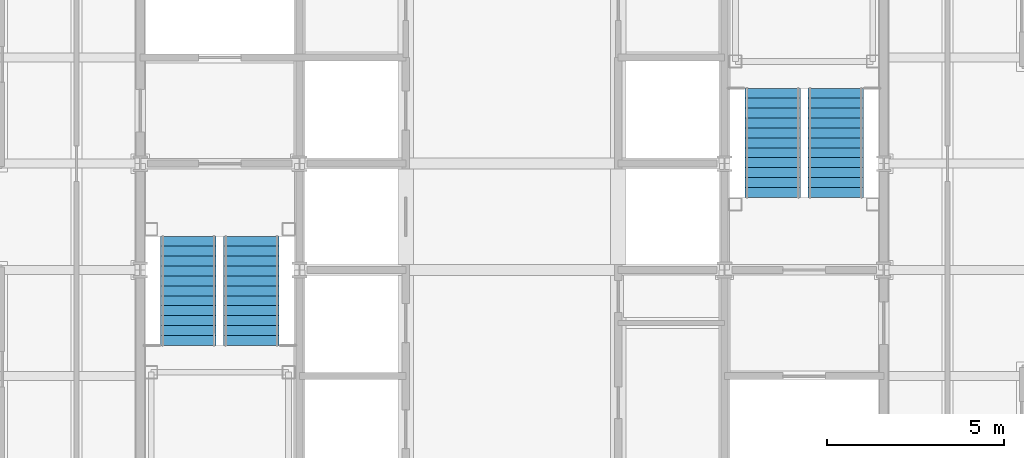
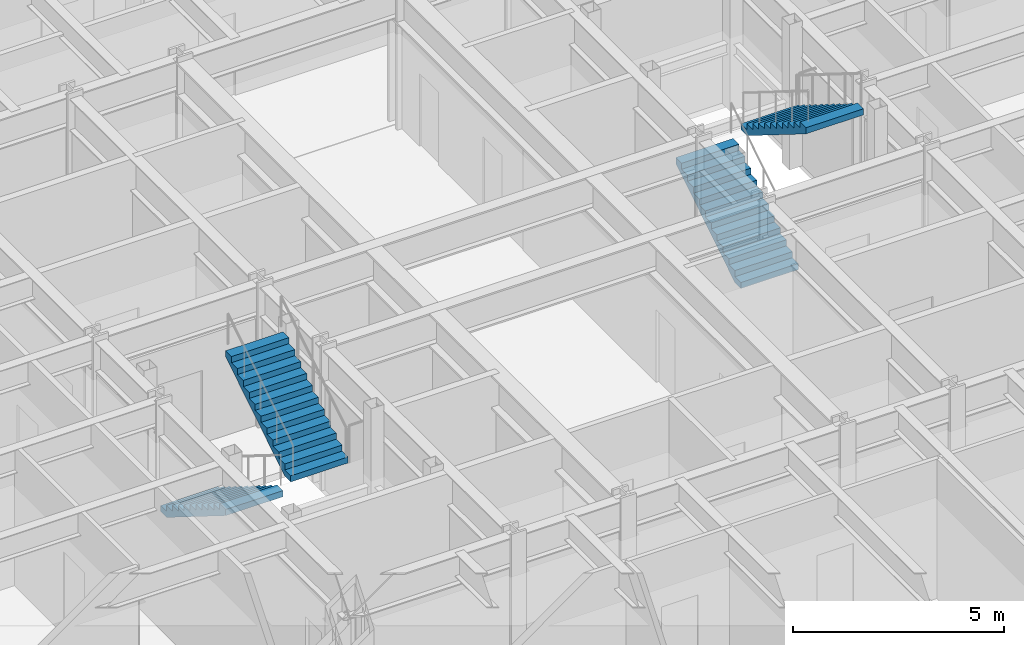
# One storey, part 13 of 15: 4 stair flights, 2 elements without a shape of their own.
"""IFC4 building model written with IfcOpenShell, lengths in metres."""

from ifc_helpers import new_model, si_unit, direction, frame, origin, place, context, subcontext, project, spatial, faceted_brep, material, type_object, element, aggregate, save


model = new_model("IFC4")

# Units and contexts
model_context = context("Model", 3, precision=1e-05, world=origin(), true_north=direction((0.0, 1.0)))
body_context = subcontext(model_context, "Body", "Model", "MODEL_VIEW")
ifc_project = project(units=[si_unit("LENGTHUNIT", "METRE"), si_unit("AREAUNIT", "SQUARE_METRE"), si_unit("VOLUMEUNIT", "CUBIC_METRE"), si_unit("PLANEANGLEUNIT", "RADIAN"), si_unit("MASSUNIT", "GRAM", prefix="KILO")], contexts=[model_context])

# Site, building, storey
site_placement = place(None, origin())
site = spatial("IfcSite", under=ifc_project, at=site_placement, CompositionType="ELEMENT")
building_placement = place(site_placement, origin())
building = spatial("IfcBuilding", under=site, at=building_placement, Name="Chuquiago Exchange Tower", CompositionType="ELEMENT")
storey_placement = place(building_placement, frame((0.0, 0.0, 291.60009765625)))
storey = spatial("IfcBuildingStorey", under=building, at=storey_placement, Name="L65", CompositionType="ELEMENT", Elevation=291.60009765625)

# Stair, stair flights
ifc_material_1 = material(Name="Concrete C30/37, precast", Category="concrete")
stair_type_1 = type_object("IfcStairType", Name="ST1 half-turn stair 4200", PredefinedType="HALF_TURN_STAIR", material=ifc_material_1)
stair_1_placement = place(storey_placement, origin())
stair_1 = element("IfcStair", 1, at=stair_1_placement, inside=storey, type_object=stair_type_1, Name="Stair ST1 L65", PredefinedType="HALF_TURN_STAIR")
ifc_material_2 = material(Name="Concrete C30/37, precast", Category="concrete")
stair_flight_type = type_object("IfcStairFlightType", Name="ST-F flight 1570 for 4200 storey", PredefinedType="STRAIGHT", material=ifc_material_2)
stair_flight_1_placement = place(storey_placement, frame((13.360107421875, 21.949951171875, 0.0), z_axis=(0.0, 0.0, 1.0), x_axis=(0.0, -1.0, 0.0)))
stair_flight_1 = element("IfcStairFlight", 2, at=stair_flight_1_placement, type_object=stair_flight_type, Name="ST1 flight 1", NumberOfRisers=12, NumberOfTreads=11, PredefinedType="STRAIGHT", RiserHeight=0.175, TreadLength=0.28, context=body_context, shape_type="Brep", body=[
    faceted_brep([(0.0, 0.78515625, 0.0), (0.0, 0.78515625, 0.175048828125), (0.280029296875, 0.78515625, 0.175048828125), (0.280029296875, 0.78515625, 0.35009765625), (0.56005859375, 0.78515625, 0.35009765625), (0.56005859375, 0.78515625, 0.52490234375), (0.840087890625, 0.78515625, 0.52490234375), (0.840087890625, 0.78515625, 0.699951171875), (1.1201171875, 0.78515625, 0.699951171875), (1.1201171875, 0.78515625, 0.875), (1.39990234375, 0.78515625, 0.875), (1.39990234375, 0.78515625, 1.050048828125), (1.679931640625, 0.78515625, 1.050048828125), (1.679931640625, 0.78515625, 1.22509765625), (1.9599609375, 0.78515625, 1.22509765625), (1.9599609375, 0.78515625, 1.39990234375), (2.239990234375, 0.78515625, 1.39990234375), (2.239990234375, 0.78515625, 1.574951171875), (2.52001953125, 0.78515625, 1.574951171875), (2.52001953125, 0.78515625, 1.75), (2.800048828125, 0.78515625, 1.75), (2.800048828125, 0.78515625, 1.925048828125), (3.080078125, 0.78515625, 1.925048828125), (3.080078125, 0.78515625, 1.748291015625), (0.28271484375, 0.78515625, 0.0), (0.28271484375, -0.78515625, 0.0), (3.080078125, -0.78515625, 1.748291015625), (3.080078125, -0.78515625, 1.925048828125), (2.800048828125, -0.78515625, 1.925048828125), (2.800048828125, -0.78515625, 1.75), (2.52001953125, -0.78515625, 1.75), (2.52001953125, -0.78515625, 1.574951171875), (2.239990234375, -0.78515625, 1.574951171875), (2.239990234375, -0.78515625, 1.39990234375), (1.9599609375, -0.78515625, 1.39990234375), (1.9599609375, -0.78515625, 1.22509765625), (1.679931640625, -0.78515625, 1.22509765625), (1.679931640625, -0.78515625, 1.050048828125), (1.39990234375, -0.78515625, 1.050048828125), (1.39990234375, -0.78515625, 0.875), (1.1201171875, -0.78515625, 0.875), (1.1201171875, -0.78515625, 0.699951171875), (0.840087890625, -0.78515625, 0.699951171875), (0.840087890625, -0.78515625, 0.52490234375), (0.56005859375, -0.78515625, 0.52490234375), (0.56005859375, -0.78515625, 0.35009765625), (0.280029296875, -0.78515625, 0.35009765625), (0.280029296875, -0.78515625, 0.175048828125), (0.0, -0.78515625, 0.175048828125), (0.0, -0.78515625, 0.0), (0.0, 0.392578125, 0.0), (0.0, 0.392578125, 0.175048828125), (0.0, 0.0, 0.0), (0.0, 0.0, 0.175048828125), (0.0, -0.392578125, 0.0), (0.0, -0.392578125, 0.175048828125), (0.280029296875, 0.392578125, 0.175048828125), (0.280029296875, 0.0, 0.175048828125), (0.280029296875, -0.392578125, 0.175048828125), (0.280029296875, 0.392578125, 0.35009765625), (0.280029296875, 0.0, 0.35009765625), (0.280029296875, -0.392578125, 0.35009765625), (0.56005859375, 0.392578125, 0.35009765625), (0.56005859375, 0.0, 0.35009765625), (0.56005859375, -0.392578125, 0.35009765625), (0.56005859375, 0.392578125, 0.52490234375), (0.56005859375, 0.0, 0.52490234375), (0.56005859375, -0.392578125, 0.52490234375), (0.840087890625, 0.392578125, 0.52490234375), (0.840087890625, 0.0, 0.52490234375), (0.840087890625, -0.392578125, 0.52490234375), (0.840087890625, 0.392578125, 0.699951171875), (0.840087890625, 0.0, 0.699951171875), (0.840087890625, -0.392578125, 0.699951171875), (1.1201171875, 0.392578125, 0.699951171875), (1.1201171875, 0.0, 0.699951171875), (1.1201171875, -0.392578125, 0.699951171875), (1.1201171875, 0.392578125, 0.875), (1.1201171875, 0.0, 0.875), (1.1201171875, -0.392578125, 0.875), (1.39990234375, 0.392578125, 0.875), (1.39990234375, 0.0, 0.875), (1.39990234375, -0.392578125, 0.875), (1.39990234375, 0.392578125, 1.050048828125), (1.39990234375, 0.0, 1.050048828125), (1.39990234375, -0.392578125, 1.050048828125), (1.679931640625, 0.392578125, 1.050048828125), (1.679931640625, 0.0, 1.050048828125), (1.679931640625, -0.392578125, 1.050048828125), (1.679931640625, 0.392578125, 1.22509765625), (1.679931640625, 0.0, 1.22509765625), (1.679931640625, -0.392578125, 1.22509765625), (1.9599609375, 0.392578125, 1.22509765625), (1.9599609375, 0.0, 1.22509765625), (1.9599609375, -0.392578125, 1.22509765625), (1.9599609375, 0.392578125, 1.39990234375), (1.9599609375, 0.0, 1.39990234375), (1.9599609375, -0.392578125, 1.39990234375), (2.239990234375, 0.392578125, 1.39990234375), (2.239990234375, 0.0, 1.39990234375), (2.239990234375, -0.392578125, 1.39990234375), (2.239990234375, 0.392578125, 1.574951171875), (2.239990234375, 0.0, 1.574951171875), (2.239990234375, -0.392578125, 1.574951171875), (2.52001953125, 0.392578125, 1.574951171875), (2.52001953125, 0.0, 1.574951171875), (2.52001953125, -0.392578125, 1.574951171875), (2.52001953125, 0.392578125, 1.75), (2.52001953125, 0.0, 1.75), (2.52001953125, -0.392578125, 1.75), (2.800048828125, 0.392578125, 1.75), (2.800048828125, 0.0, 1.75), (2.800048828125, -0.392578125, 1.75), (2.800048828125, 0.392578125, 1.925048828125), (2.800048828125, 0.0, 1.925048828125), (2.800048828125, -0.392578125, 1.925048828125), (3.080078125, 0.392578125, 1.925048828125), (3.080078125, 0.0, 1.925048828125), (3.080078125, -0.392578125, 1.925048828125), (3.080078125, 0.392578125, 1.748291015625), (3.080078125, 0.0, 1.748291015625), (3.080078125, -0.392578125, 1.748291015625), (0.28271484375, 0.392578125, 0.0), (0.28271484375, 0.0, 0.0), (0.28271484375, -0.392578125, 0.0)], [[[0, 1, 2, 3, 4, 5, 6, 7, 8, 9, 10, 11, 12, 13, 14, 15, 16, 17, 18, 19, 20, 21, 22, 23, 24]], [[25, 26, 27, 28, 29, 30, 31, 32, 33, 34, 35, 36, 37, 38, 39, 40, 41, 42, 43, 44, 45, 46, 47, 48, 49]], [[1, 0, 50, 51]], [[51, 50, 52, 53]], [[53, 52, 54, 55]], [[55, 54, 49, 48]], [[2, 1, 51, 56]], [[56, 51, 53, 57]], [[57, 53, 55, 58]], [[58, 55, 48, 47]], [[3, 2, 56, 59]], [[59, 56, 57, 60]], [[60, 57, 58, 61]], [[61, 58, 47, 46]], [[4, 3, 59, 62]], [[62, 59, 60, 63]], [[63, 60, 61, 64]], [[64, 61, 46, 45]], [[5, 4, 62, 65]], [[65, 62, 63, 66]], [[66, 63, 64, 67]], [[67, 64, 45, 44]], [[6, 5, 65, 68]], [[68, 65, 66, 69]], [[69, 66, 67, 70]], [[70, 67, 44, 43]], [[7, 6, 68, 71]], [[71, 68, 69, 72]], [[72, 69, 70, 73]], [[73, 70, 43, 42]], [[8, 7, 71, 74]], [[74, 71, 72, 75]], [[75, 72, 73, 76]], [[76, 73, 42, 41]], [[9, 8, 74, 77]], [[77, 74, 75, 78]], [[78, 75, 76, 79]], [[79, 76, 41, 40]], [[10, 9, 77, 80]], [[80, 77, 78, 81]], [[81, 78, 79, 82]], [[82, 79, 40, 39]], [[11, 10, 80, 83]], [[83, 80, 81, 84]], [[84, 81, 82, 85]], [[85, 82, 39, 38]], [[12, 11, 83, 86]], [[86, 83, 84, 87]], [[87, 84, 85, 88]], [[88, 85, 38, 37]], [[13, 12, 86, 89]], [[89, 86, 87, 90]], [[90, 87, 88, 91]], [[91, 88, 37, 36]], [[14, 13, 89, 92]], [[92, 89, 90, 93]], [[93, 90, 91, 94]], [[94, 91, 36, 35]], [[15, 14, 92, 95]], [[95, 92, 93, 96]], [[96, 93, 94, 97]], [[97, 94, 35, 34]], [[16, 15, 95, 98]], [[98, 95, 96, 99]], [[99, 96, 97, 100]], [[100, 97, 34, 33]], [[17, 16, 98, 101]], [[101, 98, 99, 102]], [[102, 99, 100, 103]], [[103, 100, 33, 32]], [[18, 17, 101, 104]], [[104, 101, 102, 105]], [[105, 102, 103, 106]], [[106, 103, 32, 31]], [[19, 18, 104, 107]], [[107, 104, 105, 108]], [[108, 105, 106, 109]], [[109, 106, 31, 30]], [[20, 19, 107, 110]], [[110, 107, 108, 111]], [[111, 108, 109, 112]], [[112, 109, 30, 29]], [[21, 20, 110, 113]], [[113, 110, 111, 114]], [[114, 111, 112, 115]], [[115, 112, 29, 28]], [[22, 21, 113, 116]], [[116, 113, 114, 117]], [[117, 114, 115, 118]], [[118, 115, 28, 27]], [[23, 22, 116, 119]], [[119, 116, 117, 120]], [[120, 117, 118, 121]], [[121, 118, 27, 26]], [[24, 23, 119, 122]], [[122, 119, 120, 123]], [[123, 120, 121, 124]], [[124, 121, 26, 25]], [[0, 24, 122, 50]], [[50, 122, 123, 52]], [[52, 123, 124, 54]], [[54, 124, 25, 49]]]),
])
stair_flight_2_placement = place(storey_placement, frame((15.139892578125, 18.8701171875, 2.099853515625), z_axis=(0.0, 0.0, 1.0), x_axis=(0.0, 1.0, 0.0)))
stair_flight_2 = element("IfcStairFlight", 3, at=stair_flight_2_placement, type_object=stair_flight_type, Name="ST1 flight 2", NumberOfRisers=12, NumberOfTreads=11, PredefinedType="STRAIGHT", RiserHeight=0.175, TreadLength=0.28, context=body_context, shape_type="Brep", body=[
    faceted_brep([(0.0, 0.78515625, 0.0), (0.0, 0.78515625, 0.175048828125), (0.280029296875, 0.78515625, 0.175048828125), (0.280029296875, 0.78515625, 0.35009765625), (0.56005859375, 0.78515625, 0.35009765625), (0.56005859375, 0.78515625, 0.52490234375), (0.840087890625, 0.78515625, 0.52490234375), (0.840087890625, 0.78515625, 0.699951171875), (1.1201171875, 0.78515625, 0.699951171875), (1.1201171875, 0.78515625, 0.875), (1.39990234375, 0.78515625, 0.875), (1.39990234375, 0.78515625, 1.050048828125), (1.679931640625, 0.78515625, 1.050048828125), (1.679931640625, 0.78515625, 1.22509765625), (1.9599609375, 0.78515625, 1.22509765625), (1.9599609375, 0.78515625, 1.39990234375), (2.239990234375, 0.78515625, 1.39990234375), (2.239990234375, 0.78515625, 1.574951171875), (2.52001953125, 0.78515625, 1.574951171875), (2.52001953125, 0.78515625, 1.75), (2.800048828125, 0.78515625, 1.75), (2.800048828125, 0.78515625, 1.925048828125), (3.080078125, 0.78515625, 1.925048828125), (3.080078125, 0.78515625, 1.748291015625), (0.28271484375, 0.78515625, 0.0), (0.28271484375, -0.78515625, 0.0), (3.080078125, -0.78515625, 1.748291015625), (3.080078125, -0.78515625, 1.925048828125), (2.800048828125, -0.78515625, 1.925048828125), (2.800048828125, -0.78515625, 1.75), (2.52001953125, -0.78515625, 1.75), (2.52001953125, -0.78515625, 1.574951171875), (2.239990234375, -0.78515625, 1.574951171875), (2.239990234375, -0.78515625, 1.39990234375), (1.9599609375, -0.78515625, 1.39990234375), (1.9599609375, -0.78515625, 1.22509765625), (1.679931640625, -0.78515625, 1.22509765625), (1.679931640625, -0.78515625, 1.050048828125), (1.39990234375, -0.78515625, 1.050048828125), (1.39990234375, -0.78515625, 0.875), (1.1201171875, -0.78515625, 0.875), (1.1201171875, -0.78515625, 0.699951171875), (0.840087890625, -0.78515625, 0.699951171875), (0.840087890625, -0.78515625, 0.52490234375), (0.56005859375, -0.78515625, 0.52490234375), (0.56005859375, -0.78515625, 0.35009765625), (0.280029296875, -0.78515625, 0.35009765625), (0.280029296875, -0.78515625, 0.175048828125), (0.0, -0.78515625, 0.175048828125), (0.0, -0.78515625, 0.0), (0.0, 0.392578125, 0.0), (0.0, 0.392578125, 0.175048828125), (0.0, 0.0, 0.0), (0.0, 0.0, 0.175048828125), (0.0, -0.392578125, 0.0), (0.0, -0.392578125, 0.175048828125), (0.280029296875, 0.392578125, 0.175048828125), (0.280029296875, 0.0, 0.175048828125), (0.280029296875, -0.392578125, 0.175048828125), (0.280029296875, 0.392578125, 0.35009765625), (0.280029296875, 0.0, 0.35009765625), (0.280029296875, -0.392578125, 0.35009765625), (0.56005859375, 0.392578125, 0.35009765625), (0.56005859375, 0.0, 0.35009765625), (0.56005859375, -0.392578125, 0.35009765625), (0.56005859375, 0.392578125, 0.52490234375), (0.56005859375, 0.0, 0.52490234375), (0.56005859375, -0.392578125, 0.52490234375), (0.840087890625, 0.392578125, 0.52490234375), (0.840087890625, 0.0, 0.52490234375), (0.840087890625, -0.392578125, 0.52490234375), (0.840087890625, 0.392578125, 0.699951171875), (0.840087890625, 0.0, 0.699951171875), (0.840087890625, -0.392578125, 0.699951171875), (1.1201171875, 0.392578125, 0.699951171875), (1.1201171875, 0.0, 0.699951171875), (1.1201171875, -0.392578125, 0.699951171875), (1.1201171875, 0.392578125, 0.875), (1.1201171875, 0.0, 0.875), (1.1201171875, -0.392578125, 0.875), (1.39990234375, 0.392578125, 0.875), (1.39990234375, 0.0, 0.875), (1.39990234375, -0.392578125, 0.875), (1.39990234375, 0.392578125, 1.050048828125), (1.39990234375, 0.0, 1.050048828125), (1.39990234375, -0.392578125, 1.050048828125), (1.679931640625, 0.392578125, 1.050048828125), (1.679931640625, 0.0, 1.050048828125), (1.679931640625, -0.392578125, 1.050048828125), (1.679931640625, 0.392578125, 1.22509765625), (1.679931640625, 0.0, 1.22509765625), (1.679931640625, -0.392578125, 1.22509765625), (1.9599609375, 0.392578125, 1.22509765625), (1.9599609375, 0.0, 1.22509765625), (1.9599609375, -0.392578125, 1.22509765625), (1.9599609375, 0.392578125, 1.39990234375), (1.9599609375, 0.0, 1.39990234375), (1.9599609375, -0.392578125, 1.39990234375), (2.239990234375, 0.392578125, 1.39990234375), (2.239990234375, 0.0, 1.39990234375), (2.239990234375, -0.392578125, 1.39990234375), (2.239990234375, 0.392578125, 1.574951171875), (2.239990234375, 0.0, 1.574951171875), (2.239990234375, -0.392578125, 1.574951171875), (2.52001953125, 0.392578125, 1.574951171875), (2.52001953125, 0.0, 1.574951171875), (2.52001953125, -0.392578125, 1.574951171875), (2.52001953125, 0.392578125, 1.75), (2.52001953125, 0.0, 1.75), (2.52001953125, -0.392578125, 1.75), (2.800048828125, 0.392578125, 1.75), (2.800048828125, 0.0, 1.75), (2.800048828125, -0.392578125, 1.75), (2.800048828125, 0.392578125, 1.925048828125), (2.800048828125, 0.0, 1.925048828125), (2.800048828125, -0.392578125, 1.925048828125), (3.080078125, 0.392578125, 1.925048828125), (3.080078125, 0.0, 1.925048828125), (3.080078125, -0.392578125, 1.925048828125), (3.080078125, 0.392578125, 1.748291015625), (3.080078125, 0.0, 1.748291015625), (3.080078125, -0.392578125, 1.748291015625), (0.28271484375, 0.392578125, 0.0), (0.28271484375, 0.0, 0.0), (0.28271484375, -0.392578125, 0.0)], [[[0, 1, 2, 3, 4, 5, 6, 7, 8, 9, 10, 11, 12, 13, 14, 15, 16, 17, 18, 19, 20, 21, 22, 23, 24]], [[25, 26, 27, 28, 29, 30, 31, 32, 33, 34, 35, 36, 37, 38, 39, 40, 41, 42, 43, 44, 45, 46, 47, 48, 49]], [[1, 0, 50, 51]], [[51, 50, 52, 53]], [[53, 52, 54, 55]], [[55, 54, 49, 48]], [[2, 1, 51, 56]], [[56, 51, 53, 57]], [[57, 53, 55, 58]], [[58, 55, 48, 47]], [[3, 2, 56, 59]], [[59, 56, 57, 60]], [[60, 57, 58, 61]], [[61, 58, 47, 46]], [[4, 3, 59, 62]], [[62, 59, 60, 63]], [[63, 60, 61, 64]], [[64, 61, 46, 45]], [[5, 4, 62, 65]], [[65, 62, 63, 66]], [[66, 63, 64, 67]], [[67, 64, 45, 44]], [[6, 5, 65, 68]], [[68, 65, 66, 69]], [[69, 66, 67, 70]], [[70, 67, 44, 43]], [[7, 6, 68, 71]], [[71, 68, 69, 72]], [[72, 69, 70, 73]], [[73, 70, 43, 42]], [[8, 7, 71, 74]], [[74, 71, 72, 75]], [[75, 72, 73, 76]], [[76, 73, 42, 41]], [[9, 8, 74, 77]], [[77, 74, 75, 78]], [[78, 75, 76, 79]], [[79, 76, 41, 40]], [[10, 9, 77, 80]], [[80, 77, 78, 81]], [[81, 78, 79, 82]], [[82, 79, 40, 39]], [[11, 10, 80, 83]], [[83, 80, 81, 84]], [[84, 81, 82, 85]], [[85, 82, 39, 38]], [[12, 11, 83, 86]], [[86, 83, 84, 87]], [[87, 84, 85, 88]], [[88, 85, 38, 37]], [[13, 12, 86, 89]], [[89, 86, 87, 90]], [[90, 87, 88, 91]], [[91, 88, 37, 36]], [[14, 13, 89, 92]], [[92, 89, 90, 93]], [[93, 90, 91, 94]], [[94, 91, 36, 35]], [[15, 14, 92, 95]], [[95, 92, 93, 96]], [[96, 93, 94, 97]], [[97, 94, 35, 34]], [[16, 15, 95, 98]], [[98, 95, 96, 99]], [[99, 96, 97, 100]], [[100, 97, 34, 33]], [[17, 16, 98, 101]], [[101, 98, 99, 102]], [[102, 99, 100, 103]], [[103, 100, 33, 32]], [[18, 17, 101, 104]], [[104, 101, 102, 105]], [[105, 102, 103, 106]], [[106, 103, 32, 31]], [[19, 18, 104, 107]], [[107, 104, 105, 108]], [[108, 105, 106, 109]], [[109, 106, 31, 30]], [[20, 19, 107, 110]], [[110, 107, 108, 111]], [[111, 108, 109, 112]], [[112, 109, 30, 29]], [[21, 20, 110, 113]], [[113, 110, 111, 114]], [[114, 111, 112, 115]], [[115, 112, 29, 28]], [[22, 21, 113, 116]], [[116, 113, 114, 117]], [[117, 114, 115, 118]], [[118, 115, 28, 27]], [[23, 22, 116, 119]], [[119, 116, 117, 120]], [[120, 117, 118, 121]], [[121, 118, 27, 26]], [[24, 23, 119, 122]], [[122, 119, 120, 123]], [[123, 120, 121, 124]], [[124, 121, 26, 25]], [[0, 24, 122, 50]], [[50, 122, 123, 52]], [[52, 123, 124, 54]], [[54, 124, 25, 49]]]),
])
aggregate(stair_1, [stair_flight_1, stair_flight_2])

ifc_material_3 = material(Name="Concrete C30/37, precast", Category="concrete")
stair_type_2 = type_object("IfcStairType", Name="ST2 half-turn stair 4200", PredefinedType="HALF_TURN_STAIR", material=ifc_material_3)
stair_2_placement = place(storey_placement, origin())
stair_2 = element("IfcStair", 4, at=stair_2_placement, inside=storey, type_object=stair_type_2, Name="Stair ST2 L65", PredefinedType="HALF_TURN_STAIR")
stair_flight_3_placement = place(storey_placement, frame((29.860107421875, 23.050048828125, 0.0), z_axis=(0.0, 0.0, 1.0), x_axis=(0.0, 1.0, 0.0)))
stair_flight_3 = element("IfcStairFlight", 5, at=stair_flight_3_placement, type_object=stair_flight_type, Name="ST2 flight 1", NumberOfRisers=12, NumberOfTreads=11, PredefinedType="STRAIGHT", RiserHeight=0.175, TreadLength=0.28, context=body_context, shape_type="Brep", body=[
    faceted_brep([(0.0, 0.78515625, 0.0), (0.0, 0.78515625, 0.175048828125), (0.280029296875, 0.78515625, 0.175048828125), (0.280029296875, 0.78515625, 0.35009765625), (0.56005859375, 0.78515625, 0.35009765625), (0.56005859375, 0.78515625, 0.52490234375), (0.840087890625, 0.78515625, 0.52490234375), (0.840087890625, 0.78515625, 0.699951171875), (1.1201171875, 0.78515625, 0.699951171875), (1.1201171875, 0.78515625, 0.875), (1.39990234375, 0.78515625, 0.875), (1.39990234375, 0.78515625, 1.050048828125), (1.679931640625, 0.78515625, 1.050048828125), (1.679931640625, 0.78515625, 1.22509765625), (1.9599609375, 0.78515625, 1.22509765625), (1.9599609375, 0.78515625, 1.39990234375), (2.239990234375, 0.78515625, 1.39990234375), (2.239990234375, 0.78515625, 1.574951171875), (2.52001953125, 0.78515625, 1.574951171875), (2.52001953125, 0.78515625, 1.75), (2.800048828125, 0.78515625, 1.75), (2.800048828125, 0.78515625, 1.925048828125), (3.080078125, 0.78515625, 1.925048828125), (3.080078125, 0.78515625, 1.748291015625), (0.28271484375, 0.78515625, 0.0), (0.28271484375, -0.78515625, 0.0), (3.080078125, -0.78515625, 1.748291015625), (3.080078125, -0.78515625, 1.925048828125), (2.800048828125, -0.78515625, 1.925048828125), (2.800048828125, -0.78515625, 1.75), (2.52001953125, -0.78515625, 1.75), (2.52001953125, -0.78515625, 1.574951171875), (2.239990234375, -0.78515625, 1.574951171875), (2.239990234375, -0.78515625, 1.39990234375), (1.9599609375, -0.78515625, 1.39990234375), (1.9599609375, -0.78515625, 1.22509765625), (1.679931640625, -0.78515625, 1.22509765625), (1.679931640625, -0.78515625, 1.050048828125), (1.39990234375, -0.78515625, 1.050048828125), (1.39990234375, -0.78515625, 0.875), (1.1201171875, -0.78515625, 0.875), (1.1201171875, -0.78515625, 0.699951171875), (0.840087890625, -0.78515625, 0.699951171875), (0.840087890625, -0.78515625, 0.52490234375), (0.56005859375, -0.78515625, 0.52490234375), (0.56005859375, -0.78515625, 0.35009765625), (0.280029296875, -0.78515625, 0.35009765625), (0.280029296875, -0.78515625, 0.175048828125), (0.0, -0.78515625, 0.175048828125), (0.0, -0.78515625, 0.0), (0.0, 0.392578125, 0.0), (0.0, 0.392578125, 0.175048828125), (0.0, 0.0, 0.0), (0.0, 0.0, 0.175048828125), (0.0, -0.392578125, 0.0), (0.0, -0.392578125, 0.175048828125), (0.280029296875, 0.392578125, 0.175048828125), (0.280029296875, 0.0, 0.175048828125), (0.280029296875, -0.392578125, 0.175048828125), (0.280029296875, 0.392578125, 0.35009765625), (0.280029296875, 0.0, 0.35009765625), (0.280029296875, -0.392578125, 0.35009765625), (0.56005859375, 0.392578125, 0.35009765625), (0.56005859375, 0.0, 0.35009765625), (0.56005859375, -0.392578125, 0.35009765625), (0.56005859375, 0.392578125, 0.52490234375), (0.56005859375, 0.0, 0.52490234375), (0.56005859375, -0.392578125, 0.52490234375), (0.840087890625, 0.392578125, 0.52490234375), (0.840087890625, 0.0, 0.52490234375), (0.840087890625, -0.392578125, 0.52490234375), (0.840087890625, 0.392578125, 0.699951171875), (0.840087890625, 0.0, 0.699951171875), (0.840087890625, -0.392578125, 0.699951171875), (1.1201171875, 0.392578125, 0.699951171875), (1.1201171875, 0.0, 0.699951171875), (1.1201171875, -0.392578125, 0.699951171875), (1.1201171875, 0.392578125, 0.875), (1.1201171875, 0.0, 0.875), (1.1201171875, -0.392578125, 0.875), (1.39990234375, 0.392578125, 0.875), (1.39990234375, 0.0, 0.875), (1.39990234375, -0.392578125, 0.875), (1.39990234375, 0.392578125, 1.050048828125), (1.39990234375, 0.0, 1.050048828125), (1.39990234375, -0.392578125, 1.050048828125), (1.679931640625, 0.392578125, 1.050048828125), (1.679931640625, 0.0, 1.050048828125), (1.679931640625, -0.392578125, 1.050048828125), (1.679931640625, 0.392578125, 1.22509765625), (1.679931640625, 0.0, 1.22509765625), (1.679931640625, -0.392578125, 1.22509765625), (1.9599609375, 0.392578125, 1.22509765625), (1.9599609375, 0.0, 1.22509765625), (1.9599609375, -0.392578125, 1.22509765625), (1.9599609375, 0.392578125, 1.39990234375), (1.9599609375, 0.0, 1.39990234375), (1.9599609375, -0.392578125, 1.39990234375), (2.239990234375, 0.392578125, 1.39990234375), (2.239990234375, 0.0, 1.39990234375), (2.239990234375, -0.392578125, 1.39990234375), (2.239990234375, 0.392578125, 1.574951171875), (2.239990234375, 0.0, 1.574951171875), (2.239990234375, -0.392578125, 1.574951171875), (2.52001953125, 0.392578125, 1.574951171875), (2.52001953125, 0.0, 1.574951171875), (2.52001953125, -0.392578125, 1.574951171875), (2.52001953125, 0.392578125, 1.75), (2.52001953125, 0.0, 1.75), (2.52001953125, -0.392578125, 1.75), (2.800048828125, 0.392578125, 1.75), (2.800048828125, 0.0, 1.75), (2.800048828125, -0.392578125, 1.75), (2.800048828125, 0.392578125, 1.925048828125), (2.800048828125, 0.0, 1.925048828125), (2.800048828125, -0.392578125, 1.925048828125), (3.080078125, 0.392578125, 1.925048828125), (3.080078125, 0.0, 1.925048828125), (3.080078125, -0.392578125, 1.925048828125), (3.080078125, 0.392578125, 1.748291015625), (3.080078125, 0.0, 1.748291015625), (3.080078125, -0.392578125, 1.748291015625), (0.28271484375, 0.392578125, 0.0), (0.28271484375, 0.0, 0.0), (0.28271484375, -0.392578125, 0.0)], [[[0, 1, 2, 3, 4, 5, 6, 7, 8, 9, 10, 11, 12, 13, 14, 15, 16, 17, 18, 19, 20, 21, 22, 23, 24]], [[25, 26, 27, 28, 29, 30, 31, 32, 33, 34, 35, 36, 37, 38, 39, 40, 41, 42, 43, 44, 45, 46, 47, 48, 49]], [[1, 0, 50, 51]], [[51, 50, 52, 53]], [[53, 52, 54, 55]], [[55, 54, 49, 48]], [[2, 1, 51, 56]], [[56, 51, 53, 57]], [[57, 53, 55, 58]], [[58, 55, 48, 47]], [[3, 2, 56, 59]], [[59, 56, 57, 60]], [[60, 57, 58, 61]], [[61, 58, 47, 46]], [[4, 3, 59, 62]], [[62, 59, 60, 63]], [[63, 60, 61, 64]], [[64, 61, 46, 45]], [[5, 4, 62, 65]], [[65, 62, 63, 66]], [[66, 63, 64, 67]], [[67, 64, 45, 44]], [[6, 5, 65, 68]], [[68, 65, 66, 69]], [[69, 66, 67, 70]], [[70, 67, 44, 43]], [[7, 6, 68, 71]], [[71, 68, 69, 72]], [[72, 69, 70, 73]], [[73, 70, 43, 42]], [[8, 7, 71, 74]], [[74, 71, 72, 75]], [[75, 72, 73, 76]], [[76, 73, 42, 41]], [[9, 8, 74, 77]], [[77, 74, 75, 78]], [[78, 75, 76, 79]], [[79, 76, 41, 40]], [[10, 9, 77, 80]], [[80, 77, 78, 81]], [[81, 78, 79, 82]], [[82, 79, 40, 39]], [[11, 10, 80, 83]], [[83, 80, 81, 84]], [[84, 81, 82, 85]], [[85, 82, 39, 38]], [[12, 11, 83, 86]], [[86, 83, 84, 87]], [[87, 84, 85, 88]], [[88, 85, 38, 37]], [[13, 12, 86, 89]], [[89, 86, 87, 90]], [[90, 87, 88, 91]], [[91, 88, 37, 36]], [[14, 13, 89, 92]], [[92, 89, 90, 93]], [[93, 90, 91, 94]], [[94, 91, 36, 35]], [[15, 14, 92, 95]], [[95, 92, 93, 96]], [[96, 93, 94, 97]], [[97, 94, 35, 34]], [[16, 15, 95, 98]], [[98, 95, 96, 99]], [[99, 96, 97, 100]], [[100, 97, 34, 33]], [[17, 16, 98, 101]], [[101, 98, 99, 102]], [[102, 99, 100, 103]], [[103, 100, 33, 32]], [[18, 17, 101, 104]], [[104, 101, 102, 105]], [[105, 102, 103, 106]], [[106, 103, 32, 31]], [[19, 18, 104, 107]], [[107, 104, 105, 108]], [[108, 105, 106, 109]], [[109, 106, 31, 30]], [[20, 19, 107, 110]], [[110, 107, 108, 111]], [[111, 108, 109, 112]], [[112, 109, 30, 29]], [[21, 20, 110, 113]], [[113, 110, 111, 114]], [[114, 111, 112, 115]], [[115, 112, 29, 28]], [[22, 21, 113, 116]], [[116, 113, 114, 117]], [[117, 114, 115, 118]], [[118, 115, 28, 27]], [[23, 22, 116, 119]], [[119, 116, 117, 120]], [[120, 117, 118, 121]], [[121, 118, 27, 26]], [[24, 23, 119, 122]], [[122, 119, 120, 123]], [[123, 120, 121, 124]], [[124, 121, 26, 25]], [[0, 24, 122, 50]], [[50, 122, 123, 52]], [[52, 123, 124, 54]], [[54, 124, 25, 49]]]),
])
stair_flight_4_placement = place(storey_placement, frame((31.639892578125, 26.1298828125, 2.099853515625), z_axis=(0.0, 0.0, 1.0), x_axis=(0.0, -1.0, 0.0)))
stair_flight_4 = element("IfcStairFlight", 6, at=stair_flight_4_placement, type_object=stair_flight_type, Name="ST2 flight 2", NumberOfRisers=12, NumberOfTreads=11, PredefinedType="STRAIGHT", RiserHeight=0.175, TreadLength=0.28, context=body_context, shape_type="Brep", body=[
    faceted_brep([(0.0, 0.78515625, 0.0), (0.0, 0.78515625, 0.175048828125), (0.280029296875, 0.78515625, 0.175048828125), (0.280029296875, 0.78515625, 0.35009765625), (0.56005859375, 0.78515625, 0.35009765625), (0.56005859375, 0.78515625, 0.52490234375), (0.840087890625, 0.78515625, 0.52490234375), (0.840087890625, 0.78515625, 0.699951171875), (1.1201171875, 0.78515625, 0.699951171875), (1.1201171875, 0.78515625, 0.875), (1.39990234375, 0.78515625, 0.875), (1.39990234375, 0.78515625, 1.050048828125), (1.679931640625, 0.78515625, 1.050048828125), (1.679931640625, 0.78515625, 1.22509765625), (1.9599609375, 0.78515625, 1.22509765625), (1.9599609375, 0.78515625, 1.39990234375), (2.239990234375, 0.78515625, 1.39990234375), (2.239990234375, 0.78515625, 1.574951171875), (2.52001953125, 0.78515625, 1.574951171875), (2.52001953125, 0.78515625, 1.75), (2.800048828125, 0.78515625, 1.75), (2.800048828125, 0.78515625, 1.925048828125), (3.080078125, 0.78515625, 1.925048828125), (3.080078125, 0.78515625, 1.748291015625), (0.28271484375, 0.78515625, 0.0), (0.28271484375, -0.78515625, 0.0), (3.080078125, -0.78515625, 1.748291015625), (3.080078125, -0.78515625, 1.925048828125), (2.800048828125, -0.78515625, 1.925048828125), (2.800048828125, -0.78515625, 1.75), (2.52001953125, -0.78515625, 1.75), (2.52001953125, -0.78515625, 1.574951171875), (2.239990234375, -0.78515625, 1.574951171875), (2.239990234375, -0.78515625, 1.39990234375), (1.9599609375, -0.78515625, 1.39990234375), (1.9599609375, -0.78515625, 1.22509765625), (1.679931640625, -0.78515625, 1.22509765625), (1.679931640625, -0.78515625, 1.050048828125), (1.39990234375, -0.78515625, 1.050048828125), (1.39990234375, -0.78515625, 0.875), (1.1201171875, -0.78515625, 0.875), (1.1201171875, -0.78515625, 0.699951171875), (0.840087890625, -0.78515625, 0.699951171875), (0.840087890625, -0.78515625, 0.52490234375), (0.56005859375, -0.78515625, 0.52490234375), (0.56005859375, -0.78515625, 0.35009765625), (0.280029296875, -0.78515625, 0.35009765625), (0.280029296875, -0.78515625, 0.175048828125), (0.0, -0.78515625, 0.175048828125), (0.0, -0.78515625, 0.0), (0.0, 0.392578125, 0.0), (0.0, 0.392578125, 0.175048828125), (0.0, 0.0, 0.0), (0.0, 0.0, 0.175048828125), (0.0, -0.392578125, 0.0), (0.0, -0.392578125, 0.175048828125), (0.280029296875, 0.392578125, 0.175048828125), (0.280029296875, 0.0, 0.175048828125), (0.280029296875, -0.392578125, 0.175048828125), (0.280029296875, 0.392578125, 0.35009765625), (0.280029296875, 0.0, 0.35009765625), (0.280029296875, -0.392578125, 0.35009765625), (0.56005859375, 0.392578125, 0.35009765625), (0.56005859375, 0.0, 0.35009765625), (0.56005859375, -0.392578125, 0.35009765625), (0.56005859375, 0.392578125, 0.52490234375), (0.56005859375, 0.0, 0.52490234375), (0.56005859375, -0.392578125, 0.52490234375), (0.840087890625, 0.392578125, 0.52490234375), (0.840087890625, 0.0, 0.52490234375), (0.840087890625, -0.392578125, 0.52490234375), (0.840087890625, 0.392578125, 0.699951171875), (0.840087890625, 0.0, 0.699951171875), (0.840087890625, -0.392578125, 0.699951171875), (1.1201171875, 0.392578125, 0.699951171875), (1.1201171875, 0.0, 0.699951171875), (1.1201171875, -0.392578125, 0.699951171875), (1.1201171875, 0.392578125, 0.875), (1.1201171875, 0.0, 0.875), (1.1201171875, -0.392578125, 0.875), (1.39990234375, 0.392578125, 0.875), (1.39990234375, 0.0, 0.875), (1.39990234375, -0.392578125, 0.875), (1.39990234375, 0.392578125, 1.050048828125), (1.39990234375, 0.0, 1.050048828125), (1.39990234375, -0.392578125, 1.050048828125), (1.679931640625, 0.392578125, 1.050048828125), (1.679931640625, 0.0, 1.050048828125), (1.679931640625, -0.392578125, 1.050048828125), (1.679931640625, 0.392578125, 1.22509765625), (1.679931640625, 0.0, 1.22509765625), (1.679931640625, -0.392578125, 1.22509765625), (1.9599609375, 0.392578125, 1.22509765625), (1.9599609375, 0.0, 1.22509765625), (1.9599609375, -0.392578125, 1.22509765625), (1.9599609375, 0.392578125, 1.39990234375), (1.9599609375, 0.0, 1.39990234375), (1.9599609375, -0.392578125, 1.39990234375), (2.239990234375, 0.392578125, 1.39990234375), (2.239990234375, 0.0, 1.39990234375), (2.239990234375, -0.392578125, 1.39990234375), (2.239990234375, 0.392578125, 1.574951171875), (2.239990234375, 0.0, 1.574951171875), (2.239990234375, -0.392578125, 1.574951171875), (2.52001953125, 0.392578125, 1.574951171875), (2.52001953125, 0.0, 1.574951171875), (2.52001953125, -0.392578125, 1.574951171875), (2.52001953125, 0.392578125, 1.75), (2.52001953125, 0.0, 1.75), (2.52001953125, -0.392578125, 1.75), (2.800048828125, 0.392578125, 1.75), (2.800048828125, 0.0, 1.75), (2.800048828125, -0.392578125, 1.75), (2.800048828125, 0.392578125, 1.925048828125), (2.800048828125, 0.0, 1.925048828125), (2.800048828125, -0.392578125, 1.925048828125), (3.080078125, 0.392578125, 1.925048828125), (3.080078125, 0.0, 1.925048828125), (3.080078125, -0.392578125, 1.925048828125), (3.080078125, 0.392578125, 1.748291015625), (3.080078125, 0.0, 1.748291015625), (3.080078125, -0.392578125, 1.748291015625), (0.28271484375, 0.392578125, 0.0), (0.28271484375, 0.0, 0.0), (0.28271484375, -0.392578125, 0.0)], [[[0, 1, 2, 3, 4, 5, 6, 7, 8, 9, 10, 11, 12, 13, 14, 15, 16, 17, 18, 19, 20, 21, 22, 23, 24]], [[25, 26, 27, 28, 29, 30, 31, 32, 33, 34, 35, 36, 37, 38, 39, 40, 41, 42, 43, 44, 45, 46, 47, 48, 49]], [[1, 0, 50, 51]], [[51, 50, 52, 53]], [[53, 52, 54, 55]], [[55, 54, 49, 48]], [[2, 1, 51, 56]], [[56, 51, 53, 57]], [[57, 53, 55, 58]], [[58, 55, 48, 47]], [[3, 2, 56, 59]], [[59, 56, 57, 60]], [[60, 57, 58, 61]], [[61, 58, 47, 46]], [[4, 3, 59, 62]], [[62, 59, 60, 63]], [[63, 60, 61, 64]], [[64, 61, 46, 45]], [[5, 4, 62, 65]], [[65, 62, 63, 66]], [[66, 63, 64, 67]], [[67, 64, 45, 44]], [[6, 5, 65, 68]], [[68, 65, 66, 69]], [[69, 66, 67, 70]], [[70, 67, 44, 43]], [[7, 6, 68, 71]], [[71, 68, 69, 72]], [[72, 69, 70, 73]], [[73, 70, 43, 42]], [[8, 7, 71, 74]], [[74, 71, 72, 75]], [[75, 72, 73, 76]], [[76, 73, 42, 41]], [[9, 8, 74, 77]], [[77, 74, 75, 78]], [[78, 75, 76, 79]], [[79, 76, 41, 40]], [[10, 9, 77, 80]], [[80, 77, 78, 81]], [[81, 78, 79, 82]], [[82, 79, 40, 39]], [[11, 10, 80, 83]], [[83, 80, 81, 84]], [[84, 81, 82, 85]], [[85, 82, 39, 38]], [[12, 11, 83, 86]], [[86, 83, 84, 87]], [[87, 84, 85, 88]], [[88, 85, 38, 37]], [[13, 12, 86, 89]], [[89, 86, 87, 90]], [[90, 87, 88, 91]], [[91, 88, 37, 36]], [[14, 13, 89, 92]], [[92, 89, 90, 93]], [[93, 90, 91, 94]], [[94, 91, 36, 35]], [[15, 14, 92, 95]], [[95, 92, 93, 96]], [[96, 93, 94, 97]], [[97, 94, 35, 34]], [[16, 15, 95, 98]], [[98, 95, 96, 99]], [[99, 96, 97, 100]], [[100, 97, 34, 33]], [[17, 16, 98, 101]], [[101, 98, 99, 102]], [[102, 99, 100, 103]], [[103, 100, 33, 32]], [[18, 17, 101, 104]], [[104, 101, 102, 105]], [[105, 102, 103, 106]], [[106, 103, 32, 31]], [[19, 18, 104, 107]], [[107, 104, 105, 108]], [[108, 105, 106, 109]], [[109, 106, 31, 30]], [[20, 19, 107, 110]], [[110, 107, 108, 111]], [[111, 108, 109, 112]], [[112, 109, 30, 29]], [[21, 20, 110, 113]], [[113, 110, 111, 114]], [[114, 111, 112, 115]], [[115, 112, 29, 28]], [[22, 21, 113, 116]], [[116, 113, 114, 117]], [[117, 114, 115, 118]], [[118, 115, 28, 27]], [[23, 22, 116, 119]], [[119, 116, 117, 120]], [[120, 117, 118, 121]], [[121, 118, 27, 26]], [[24, 23, 119, 122]], [[122, 119, 120, 123]], [[123, 120, 121, 124]], [[124, 121, 26, 25]], [[0, 24, 122, 50]], [[50, 122, 123, 52]], [[52, 123, 124, 54]], [[54, 124, 25, 49]]]),
])
aggregate(stair_2, [stair_flight_3, stair_flight_4])

save(model, "model.ifc")
